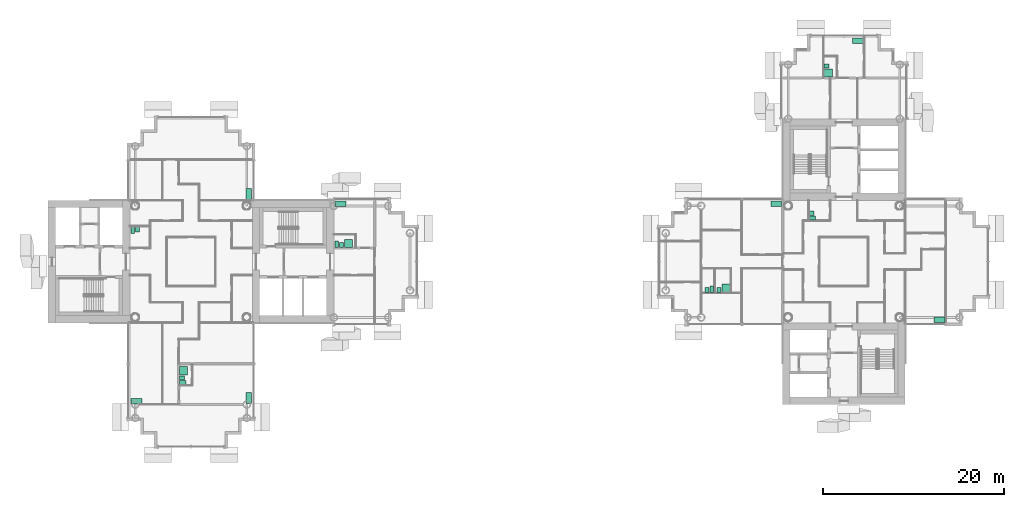
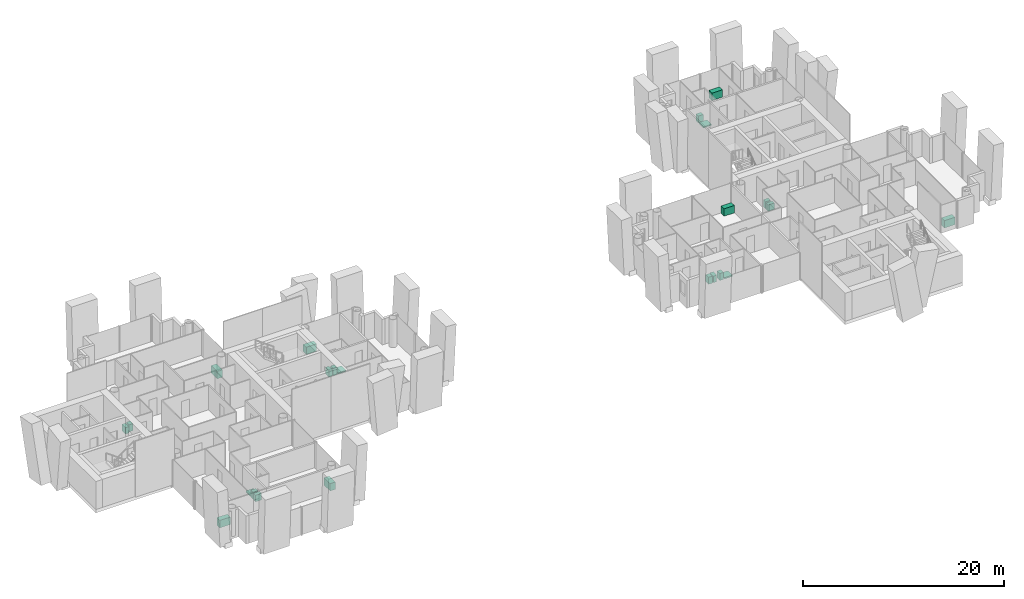
# One storey, part 19 of 19: 23 sanitary terminals.
"""IFC4 building model written with IfcOpenShell, lengths in metres."""

from ifc_helpers import new_model, si_unit, direction, frame, origin, origin_2d, place, context, subcontext, project, spatial, rectangle, extrude, material, type_object, element, save


model = new_model("IFC4")

# Units and contexts
model_context = context("Model", 3, precision=1e-05, world=origin(), true_north=direction((0.0, 1.0)))
body_context = subcontext(model_context, "Body", "Model", "MODEL_VIEW")
ifc_project = project(units=[si_unit("LENGTHUNIT", "METRE"), si_unit("AREAUNIT", "SQUARE_METRE"), si_unit("VOLUMEUNIT", "CUBIC_METRE"), si_unit("PLANEANGLEUNIT", "RADIAN"), si_unit("MASSUNIT", "GRAM", prefix="KILO")], contexts=[model_context])

# Site, building, storey
site_placement = place(None, origin())
site = spatial("IfcSite", under=ifc_project, at=site_placement, CompositionType="ELEMENT")
building_placement = place(site_placement, origin())
building = spatial("IfcBuilding", under=site, at=building_placement, Name="Ipe Terrace Towers", CompositionType="ELEMENT")
storey_placement = place(building_placement, frame((0.0, 0.0, 157.5)))
storey = spatial("IfcBuildingStorey", under=building, at=storey_placement, Name="L43", CompositionType="ELEMENT", Elevation=157.5)

# Sanitary terminals
ifc_material_1 = material(Name="Stainless sink unit", Category="metal")
sanitary_terminal_type_1 = type_object("IfcSanitaryTerminalType", Name="Kitchen sink unit", PredefinedType="SINK", material=ifc_material_1)
for number, where, z_axis, x_axis, name in (
    (1, (-29.6201171875, 7.469970703125, 0.0), (0.0, 0.0, 1.0), (0.0, -1.0, 0.0), "Kitchen sink unit"),
    (2, (-29.6201171875, -15.030029296875, 0.0), (0.0, 0.0, 1.0), (0.0, -1.0, 0.0), "Kitchen sink unit"),
    (3, (-42.030029296875, -15.3798828125, 0.0), (0.0, 0.0, 1.0), (-1.0, 0.0, 0.0), "Kitchen sink unit"),
    (4, (-19.530029296875, 6.3798828125, 0.0), (0.0, 0.0, 1.0), (1.0, 0.0, 0.0), "Kitchen sink unit"),
    (5, (28.530029296875, 6.3798828125, 0.0), (0.0, 0.0, 1.0), (1.0, 0.0, 0.0), "Kitchen sink unit"),
    (6, (46.530029296875, -6.3798828125, 0.0), (0.0, 0.0, 1.0), (-1.0, 0.0, 0.0), "Kitchen sink unit"),
    (7, (37.530029296875, 24.3798828125, 0.0), (0.0, 0.0, 1.0), (1.0, 0.0, 0.0), "Kitchen sink unit"),
):
    element("IfcSanitaryTerminal", number, at=place(storey_placement, frame(where, z_axis=z_axis, x_axis=x_axis)), inside=storey, type_object=sanitary_terminal_type_1, Name=name, PredefinedType="SINK", context=body_context, shape_type="SweptSolid", body=[
        extrude(rectangle(XDim=1.199951171875, YDim=0.60009765625, at=origin_2d()), origin(), (0.0, 0.0, 1.0), 0.89990234375),
    ])
ifc_material_2 = material(Name="Acrylic", Category="plastic")
sanitary_terminal_type_2 = type_object("IfcSanitaryTerminalType", Name="Shower tray", PredefinedType="SHOWER", material=ifc_material_2)
for number, where, z_axis, x_axis, name in (
    (8, (-36.830078125, -12.030029296875, 0.0), (0.0, 0.0, 1.0), (1.0, 0.0, 0.0), "Shower tray"),
    (9, (-18.6298828125, 2.02001953125, 0.0), (0.0, 0.0, 1.0), (0.0, 1.0, 0.0), "Shower tray"),
    (10, (22.97998046875, -2.929931640625, 0.0), (0.0, 0.0, 1.0), (0.0, 1.0, 0.0), "Shower tray"),
    (11, (34.27001953125, 20.820068359375, 0.0), (0.0, 0.0, 1.0), (1.0, 0.0, 0.0), "Shower tray"),
):
    element("IfcSanitaryTerminal", number, at=place(storey_placement, frame(where, z_axis=z_axis, x_axis=x_axis)), inside=storey, type_object=sanitary_terminal_type_2, Name=name, PredefinedType="SHOWER", context=body_context, shape_type="SweptSolid", body=[
        extrude(rectangle(XDim=0.89990234375, YDim=0.89990234375, at=origin_2d()), origin(), (0.0, 0.0, 1.0), 0.14990234375),
    ])
ifc_material_3 = material(Name="Vitreous china", Category="ceramic")
sanitary_terminal_type_3 = type_object("IfcSanitaryTerminalType", Name="Wash basin", PredefinedType="WASHHANDBASIN", material=ifc_material_3)
for number, where, z_axis, x_axis, name in (
    (12, (-41.905029296875, 3.554931640625, 0.0), (0.0, 0.0, 1.0), (0.0, -1.0, 0.0), "Wash basin"),
    (13, (-37.0048828125, -12.804931640625, 0.0), (0.0, 0.0, 1.0), (1.0, 0.0, 0.0), "Wash basin"),
    (14, (-19.405029296875, 1.844970703125, 0.0), (0.0, 0.0, 1.0), (0.0, 1.0, 0.0), "Wash basin"),
    (15, (32.445068359375, 5.344970703125, 0.0), (0.0, 0.0, 1.0), (1.0, 0.0, 0.0), "Wash basin"),
    (16, (22.205078125, -3.10498046875, 0.0), (0.0, 0.0, 1.0), (0.0, 1.0, 0.0), "Wash basin"),
    (17, (20.905029296875, -3.10498046875, 0.0), (0.0, 0.0, 1.0), (0.0, 1.0, 0.0), "Wash basin"),
    (18, (34.094970703125, 21.594970703125, 0.0), (0.0, 0.0, 1.0), (1.0, 0.0, 0.0), "Wash basin"),
):
    element("IfcSanitaryTerminal", number, at=place(storey_placement, frame(where, z_axis=z_axis, x_axis=x_axis)), inside=storey, type_object=sanitary_terminal_type_3, Name=name, PredefinedType="WASHHANDBASIN", context=body_context, shape_type="SweptSolid", body=[
        extrude(rectangle(XDim=0.550048828125, YDim=0.449951171875, at=origin_2d()), origin(), (0.0, 0.0, 1.0), 0.85009765625),
    ])
ifc_material_4 = material(Name="Vitreous china", Category="ceramic")
sanitary_terminal_type_4 = type_object("IfcSanitaryTerminalType", Name="Water closet", PredefinedType="TOILETPAN", material=ifc_material_4)
for number, where, z_axis, x_axis, name in (
    (19, (-42.429931640625, 3.47998046875, 0.0), (0.0, 0.0, 1.0), (0.0, -1.0, 0.0), "Water closet"),
    (20, (-36.929931640625, -13.330078125, 0.0), (0.0, 0.0, 1.0), (1.0, 0.0, 0.0), "Water closet"),
    (21, (-19.929931640625, 1.919921875, 0.0), (0.0, 0.0, 1.0), (0.0, 1.0, 0.0), "Water closet"),
    (22, (32.52001953125, 4.820068359375, 0.0), (0.0, 0.0, 1.0), (1.0, 0.0, 0.0), "Water closet"),
    (23, (21.429931640625, -3.030029296875, 0.0), (0.0, 0.0, 1.0), (0.0, 1.0, 0.0), "Water closet"),
):
    element("IfcSanitaryTerminal", number, at=place(storey_placement, frame(where, z_axis=z_axis, x_axis=x_axis)), inside=storey, type_object=sanitary_terminal_type_4, Name=name, PredefinedType="TOILETPAN", context=body_context, shape_type="SweptSolid", body=[
        extrude(rectangle(XDim=0.699951171875, YDim=0.39990234375, at=origin_2d()), origin(), (0.0, 0.0, 1.0), 0.780029296875),
    ])

save(model, "model.ifc")
